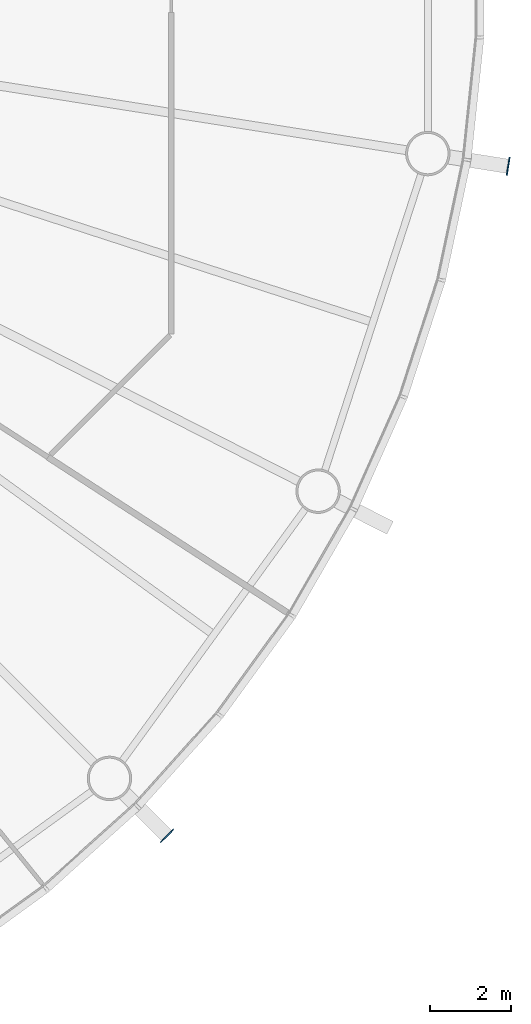
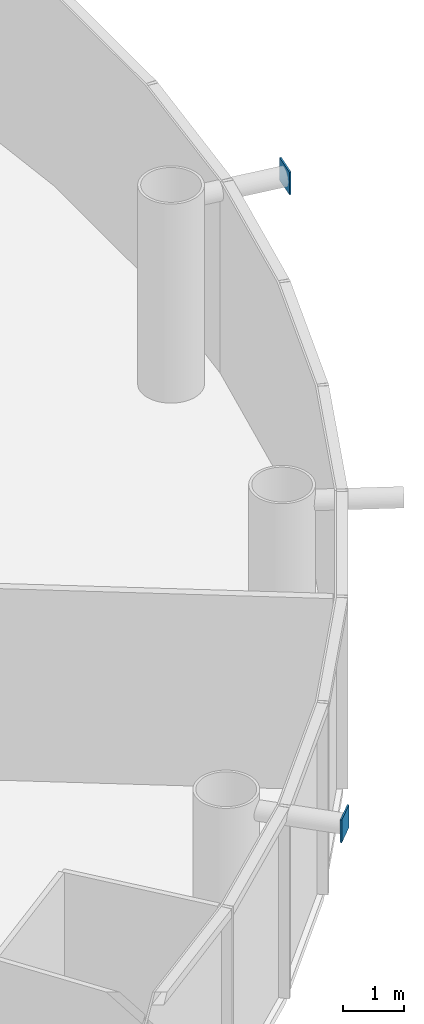
# One storey, part 8 of 17: 2 discrete accessories.
"""IFC4 building model written with IfcOpenShell, lengths in metres."""

import ifcopenshell
import ifcopenshell.guid

model = None  # the IFC model being written
_history = None  # IfcOwnerHistory: only IFC2X3 demands one
_inside = {}  # id of a spatial element -> (the spatial element, [elements in it])
_under = {}  # id of a project, library or spatial element -> (it, [spatial elements below it])
_declared = {}  # id of a project -> (the project, [libraries it declares])
_typed = {}  # id of a type object -> (the type object, [elements of that type])
_made_of = {}  # id of a material, layer set ... -> (it, [elements and type objects made of it])


def new_model(schema):
    """Start an empty IFC model of exactly this schema.

    Asked for "IFC4X3", IfcOpenShell would pick the latest addendum, in which some entities
    have other attributes; the version numbers below select the first issue.
    IFC2X3 requires an IfcOwnerHistory on every rooted entity: one is made here for all.
    """
    global model, _history
    if schema == "IFC4X3":
        model = ifcopenshell.file(schema_version=(4, 3, 0, 0))
    else:
        model = ifcopenshell.file(schema=schema)
    _inside.clear()
    _under.clear()
    _declared.clear()
    _typed.clear()
    _made_of.clear()
    _history = None
    if model.schema == "IFC2X3":
        org = make("IfcOrganization", Name="unknown")
        user = make(
            "IfcPersonAndOrganization",
            ThePerson=make("IfcPerson", FamilyName="unknown"),
            TheOrganization=org,
        )
        app = make(
            "IfcApplication",
            ApplicationDeveloper=org,
            Version="unknown",
            ApplicationFullName="unknown",
            ApplicationIdentifier="unknown",
        )
        _history = make(
            "IfcOwnerHistory",
            OwningUser=user,
            OwningApplication=app,
            ChangeAction="ADDED",
            CreationDate=0,
        )
    return model


def make(cls, **values):
    """One entity of the class cls with the attributes given. An attribute that is None is left unset."""
    return model.create_entity(
        cls, **{name: value for name, value in values.items() if value is not None}
    )


def rooted(cls, **values):
    """An entity with a GlobalId (a new one), such as an element, a storey or a relation."""
    return make(cls, GlobalId=ifcopenshell.guid.new(), OwnerHistory=_history, **values)


def si_unit(unit_type, name, prefix=None):
    """IfcSIUnit, for example si_unit("LENGTHUNIT", "METRE", prefix="MILLI")."""
    return make("IfcSIUnit", UnitType=unit_type, Prefix=prefix, Name=name)


def assignment(units):
    """IfcUnitAssignment: the units of a project."""
    return None if units is None else make("IfcUnitAssignment", Units=units)


def point(xyz):
    """IfcCartesianPoint."""
    return None if xyz is None else make("IfcCartesianPoint", Coordinates=xyz)


def direction(xyz):
    """IfcDirection."""
    return None if xyz is None else make("IfcDirection", DirectionRatios=xyz)


def frame(location, z_axis=None, x_axis=None):
    """IfcAxis2Placement3D, a coordinate frame: its origin and axes. An axis left out is left unset."""
    return make(
        "IfcAxis2Placement3D",
        Location=point(location),
        Axis=direction(z_axis),
        RefDirection=direction(x_axis),
    )


def frame_2d(location, x_axis=None):
    """IfcAxis2Placement2D, a coordinate frame in the plane: its origin and x axis."""
    return make(
        "IfcAxis2Placement2D", Location=point(location), RefDirection=direction(x_axis)
    )


def origin():
    """The frame at (0, 0, 0) with its axes left unset."""
    return frame((0.0, 0.0, 0.0))


def origin_2d():
    """The frame at (0, 0) in the plane with its x axis left unset."""
    return frame_2d((0.0, 0.0))


def place(relative_to, where):
    """IfcLocalPlacement: puts the frame where relative to a parent placement (None: the world)."""
    return make(
        "IfcLocalPlacement", PlacementRelTo=relative_to, RelativePlacement=where
    )


def context(
    kind, dimensions, precision=None, world=None, true_north=None, identifier=None
):
    """IfcGeometricRepresentationContext, for example the 3D "Model" context."""
    return make(
        "IfcGeometricRepresentationContext",
        ContextIdentifier=identifier,
        ContextType=kind,
        CoordinateSpaceDimension=dimensions,
        Precision=precision,
        WorldCoordinateSystem=world,
        TrueNorth=true_north,
    )


def subcontext(parent, identifier, kind, view, scale=None):
    """IfcGeometricRepresentationSubContext, for example "Body" below "Model"."""
    return make(
        "IfcGeometricRepresentationSubContext",
        ContextIdentifier=identifier,
        ContextType=kind,
        ParentContext=parent,
        TargetScale=scale,
        TargetView=view,
    )


def project(units=None, contexts=None):
    """IfcProject with its units and contexts."""
    return rooted(
        "IfcProject",
        Name="project",
        RepresentationContexts=contexts,
        UnitsInContext=assignment(units),
    )


def spatial(cls, under=None, at=None, **own):
    """A site, building, storey or space (cls), placed at a placement, below another one or the project."""
    s = rooted(cls, ObjectPlacement=at, **own)
    if under is not None:
        _under.setdefault(under.id(), (under, []))[1].append(s)
    return s


def profile(cls, at=None, kind="AREA", **sizes):
    """A parametric profile (cls). Its sizes go by their IFC names, for example OverallWidth=200.0."""
    return make(cls, ProfileType=kind, Position=at, **sizes)


def rectangle(**sizes):
    """IfcRectangleProfileDef."""
    return profile("IfcRectangleProfileDef", **sizes)


def extrude(swept, where, along, depth):
    """IfcExtrudedAreaSolid: the profile swept, set in the frame where, extruded along a direction by depth."""
    return make(
        "IfcExtrudedAreaSolid",
        SweptArea=swept,
        Position=where,
        ExtrudedDirection=direction(along),
        Depth=depth,
    )


def shape(context_of_items, identifier, shape_type, items):
    """IfcShapeRepresentation: the items that make up one representation, for example the "Body"."""
    return make(
        "IfcShapeRepresentation",
        ContextOfItems=context_of_items,
        RepresentationIdentifier=identifier,
        RepresentationType=shape_type,
        Items=items,
    )


def material(Name=None, Category=None):
    """IfcMaterial."""
    return make("IfcMaterial", Name=Name, Category=Category)


def made_of(thing, what):
    """Note that an element or type object is made of a material, layer set ...; save() writes the relation."""
    if what is not None:
        _made_of.setdefault(what.id(), (what, []))[1].append(thing)
    return thing


def element(
    cls,
    number,
    at=None,
    inside=None,
    cuts=None,
    type_object=None,
    material=None,
    context=None,
    identifier="Body",
    shape_type=None,
    held_by="IfcProductDefinitionShape",
    body=None,
    shapes=None,
    **own,
):
    """One element of the class cls, such as IfcWall. Its Tag is "e" and its number.

    at: its placement. inside: the storey or other place that contains it. cuts: it is an
    opening in that element (IfcRelVoidsElement). A single representation is given by context,
    identifier, shape_type and body (its items); several are given by shapes. held_by: the class
    of the entity that holds the representations. save() writes the other relations.
    """
    e = rooted(cls, Tag="e%d" % number, ObjectPlacement=at, **own)
    if body is not None:
        shapes = [shape(context, identifier, shape_type, body)]
    if shapes is not None:
        e.Representation = make(held_by, Representations=shapes)
    if inside is not None:
        _inside.setdefault(inside.id(), (inside, []))[1].append(e)
    if cuts is not None:
        rooted(
            "IfcRelVoidsElement", RelatingBuildingElement=cuts, RelatedOpeningElement=e
        )
    if type_object is not None:
        _typed.setdefault(type_object.id(), (type_object, []))[1].append(e)
    return made_of(e, material)


def aggregate(whole, parts):
    """IfcRelAggregates: a whole, such as a stair, and the parts it consists of."""
    return rooted("IfcRelAggregates", RelatingObject=whole, RelatedObjects=parts)


def save(model, path):
    """Write the relations noted so far, then the file.

    IfcRelAggregates (storeys below a building ...), IfcRelContainedInSpatialStructure (elements
    in a storey), IfcRelDefinesByType, IfcRelAssociatesMaterial and IfcRelDeclares: one each for
    every whole, place, type object, material and project.
    """
    for whole, parts in _under.values():
        aggregate(whole, parts)
    for where, things in _inside.values():
        rooted(
            "IfcRelContainedInSpatialStructure",
            RelatedElements=things,
            RelatingStructure=where,
        )
    for kind, things in _typed.values():
        rooted("IfcRelDefinesByType", RelatedObjects=things, RelatingType=kind)
    for what, things in _made_of.values():
        rooted("IfcRelAssociatesMaterial", RelatedObjects=things, RelatingMaterial=what)
    for by, libraries in _declared.values():
        rooted("IfcRelDeclares", RelatingContext=by, RelatedDefinitions=libraries)
    model.write(path)


model = new_model("IFC4")

# Units and contexts
model_context = context("Model", 3, precision=1e-05, world=origin(), true_north=direction((0.0, 1.0)))
body_context = subcontext(model_context, "Body", "Model", "MODEL_VIEW")
ifc_project = project(units=[si_unit("LENGTHUNIT", "METRE"), si_unit("AREAUNIT", "SQUARE_METRE"), si_unit("VOLUMEUNIT", "CUBIC_METRE"), si_unit("PLANEANGLEUNIT", "RADIAN"), si_unit("MASSUNIT", "GRAM", prefix="KILO")], contexts=[model_context])

# Site, building, storey
site_placement = place(None, origin())
site = spatial("IfcSite", under=ifc_project, at=site_placement, CompositionType="ELEMENT")
building_placement = place(site_placement, origin())
building = spatial("IfcBuilding", under=site, at=building_placement, Name="Entoto Ring Tower", CompositionType="ELEMENT")
storey_placement = place(building_placement, frame((0.0, 0.0, 176.0)))
storey = spatial("IfcBuildingStorey", under=building, at=storey_placement, Name="L40", CompositionType="ELEMENT", Elevation=176.0)

# Discrete accessories
ifc_material = material(Name="Steel S355", Category="steel")
for number, where, z_axis, x_axis, name in (
    (1, (111.29443359375, 58.70556640625, 3.4443359375), (0.0, 0.0, 1.0), (0.707106781187, -0.707106781187, 0.0), "Node strut end plate DS1 ring 12 18"),
    (2, (119.744140625, 75.2890625, 3.4443359375), (0.0, 0.0, 1.0), (0.987688340595, -0.15643446504, 0.0), "Node strut end plate DS1 ring 12 20"),
):
    element("IfcDiscreteAccessory", number, at=place(storey_placement, frame(where, z_axis=z_axis, x_axis=x_axis)), inside=storey, material=ifc_material, Name=name, PredefinedType="BRACKET", context=body_context, shape_type="SweptSolid", body=[
        extrude(rectangle(XDim=0.030029296875, YDim=0.45556640625, at=origin_2d()), origin(), (0.0, 0.0, 1.0), 0.45556640625),
    ])

save(model, "model.ifc")
